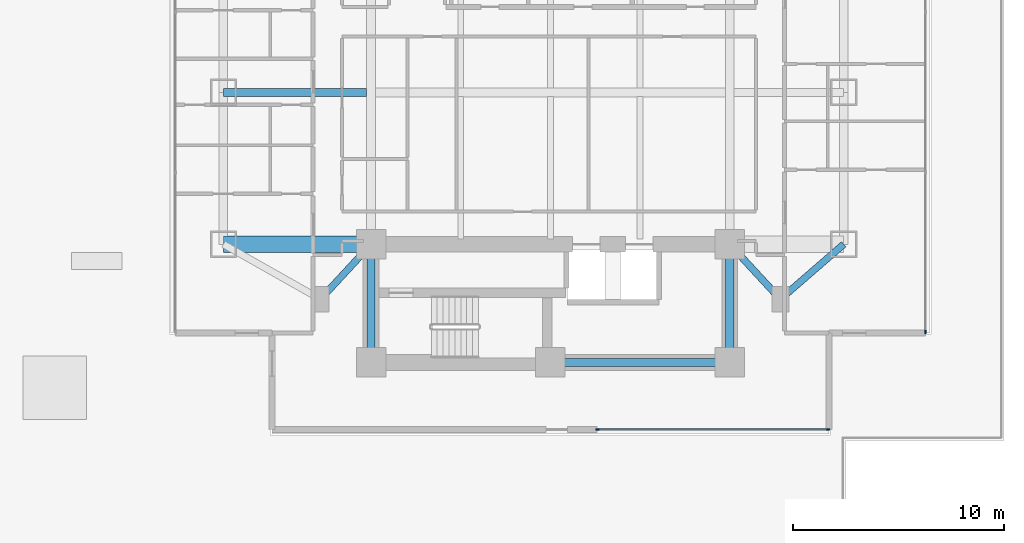
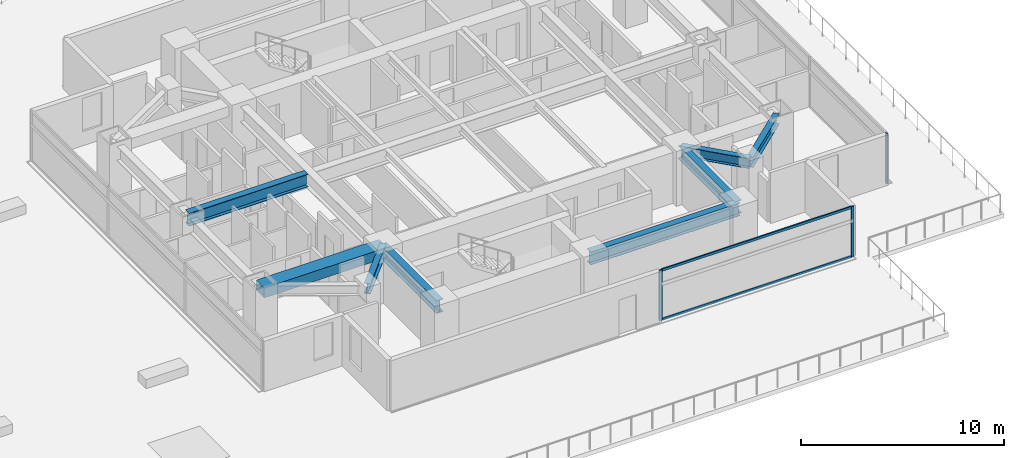
# One storey, part 8 of 26: 8 beams, 5 members, 2 elements without a shape of their own.
"""IFC4 building model written with IfcOpenShell, lengths in metres."""

from ifc_helpers import new_model, si_unit, direction, frame, origin, origin_2d, place, context, subcontext, project, spatial, rectangle, i_section, extrude, material, material_profile, profile_set, type_object, element, aggregate, save


model = new_model("IFC4")

# Units and contexts
model_context = context("Model", 3, precision=1e-05, world=origin(), true_north=direction((0.0, 1.0)))
body_context = subcontext(model_context, "Body", "Model", "MODEL_VIEW")
ifc_project = project(units=[si_unit("LENGTHUNIT", "METRE"), si_unit("AREAUNIT", "SQUARE_METRE"), si_unit("VOLUMEUNIT", "CUBIC_METRE"), si_unit("PLANEANGLEUNIT", "RADIAN"), si_unit("MASSUNIT", "GRAM", prefix="KILO")], contexts=[model_context])

# Site, building, storey
site_placement = place(None, origin())
site = spatial("IfcSite", under=ifc_project, at=site_placement, CompositionType="ELEMENT")
building_placement = place(site_placement, origin())
building = spatial("IfcBuilding", under=site, at=building_placement, Name="Mirazonda Arch Towers", CompositionType="ELEMENT")
storey_placement = place(building_placement, frame((0.0, 0.0, 22.39990234375)))
storey = spatial("IfcBuildingStorey", under=building, at=storey_placement, Name="L05", CompositionType="ELEMENT", Elevation=22.39990234375)

# Beams
ifc_material_1 = material(Name="Steel ASTM A992 Grade 50", Category="steel")
ifc_material_profile_1 = material_profile(ifc_material_1, i_section(OverallWidth=0.324951171875, OverallDepth=0.615966796875, WebThickness=0.013916015625, FlangeThickness=0.021484375, at=origin_2d()), Name="W24X117")
ifc_profile_set_1 = profile_set([ifc_material_profile_1], Name="Steel ASTM A992 Grade 50")
beam_type_1 = type_object("IfcBeamType", Name="BM-INT-W24X117", PredefinedType="BEAM", material=ifc_profile_set_1)
for number, where, z_axis, x_axis, name in (
    (1, (65.60009765625, 18.199951171875, 2.752197265625), (0.678251444854, 0.734829897019, 0.0), (-0.734829897019, 0.678251444854, 0.0), "L05 Floor Beam BM-T2-L05-PL-SW1"),
    (2, (87.39990234375, 18.199951171875, 2.752197265625), (-0.678251444854, 0.734829897019, 0.0), (-0.734829897019, -0.678251444854, 0.0), "L05 Floor Beam BM-T2-L05-PL-SE1"),
):
    element("IfcBeam", number, at=place(storey_placement, frame(where, z_axis=z_axis, x_axis=x_axis)), inside=storey, type_object=beam_type_1, Name=name, PredefinedType="BEAM", context=body_context, shape_type="SweptSolid", body=[
        extrude(i_section(OverallWidth=0.324951171875, OverallDepth=0.615966796875, WebThickness=0.013916015625, FlangeThickness=0.021484375, at=origin_2d()), origin(), (0.0, 0.0, 1.0), 3.538330078125),
    ])
beam_1_placement = place(storey_placement, frame((87.39990234375, 18.199951171875, 2.752197265625), z_axis=(0.755676908098, 0.654944585876, 0.0), x_axis=(-0.654944585876, 0.755676908098, 0.0)))
element("IfcBeam", 3, at=beam_1_placement, inside=storey, type_object=beam_type_1, Name="L05 Floor Beam BM-T2-L05-PL-SE2", PredefinedType="BEAM", context=body_context, shape_type="SweptSolid", body=[
    extrude(i_section(OverallWidth=0.324951171875, OverallDepth=0.615966796875, WebThickness=0.013916015625, FlangeThickness=0.021484375, at=origin_2d()), origin(), (0.0, 0.0, 1.0), 3.969970703125),
])
ifc_material_profile_2 = material_profile(ifc_material_1, i_section(OverallWidth=0.381103515625, OverallDepth=0.77294921875, WebThickness=0.0166015625, FlangeThickness=0.027099609375, at=origin_2d()), Name="W30X173")
ifc_profile_set_2 = profile_set([ifc_material_profile_2], Name="Steel ASTM A992 Grade 50")
beam_type_2 = type_object("IfcBeamType", Name="BM-INT-W30X173", PredefinedType="USERDEFINED", material=ifc_profile_set_2)
beam_2_placement = place(storey_placement, frame((76.5, 15.199951171875, 2.673583984375), z_axis=(1.0, 0.0, 0.0), x_axis=(0.0, 1.0, 0.0)))
element("IfcBeam", 4, at=beam_2_placement, inside=storey, type_object=beam_type_2, Name="L05 Floor Beam BM-T2-L05-CS2", ObjectType="GIRDER", PredefinedType="USERDEFINED", context=body_context, shape_type="SweptSolid", body=[
    extrude(i_section(OverallWidth=0.381103515625, OverallDepth=0.77294921875, WebThickness=0.0166015625, FlangeThickness=0.027099609375, at=origin_2d()), origin(), (0.0, 0.0, 1.0), 8.5),
])
for number, where, z_axis, x_axis, name in (
    (5, (68.0, 15.199951171875, 2.673583984375), (0.0, 1.0, 0.0), (-1.0, 0.0, 0.0), "L05 Floor Beam BM-T2-L05-CSW"),
    (6, (85.0, 15.199951171875, 2.673583984375), (0.0, 1.0, 0.0), (-1.0, 0.0, 0.0), "L05 Floor Beam BM-T2-L05-CSE"),
):
    element("IfcBeam", number, at=place(storey_placement, frame(where, z_axis=z_axis, x_axis=x_axis)), inside=storey, type_object=beam_type_2, Name=name, ObjectType="GIRDER", PredefinedType="USERDEFINED", context=body_context, shape_type="SweptSolid", body=[
        extrude(i_section(OverallWidth=0.381103515625, OverallDepth=0.77294921875, WebThickness=0.0166015625, FlangeThickness=0.027099609375, at=origin_2d()), origin(), (0.0, 0.0, 1.0), 5.60009765625),
    ])
beam_3_placement = place(storey_placement, frame((61.0, 28.0, 2.673583984375), z_axis=(1.0, 0.0, 0.0), x_axis=(0.0, 1.0, 0.0)))
element("IfcBeam", 7, at=beam_3_placement, inside=storey, type_object=beam_type_2, Name="L05 Floor Beam BM-T2-L05-GW2", ObjectType="GIRDER", PredefinedType="USERDEFINED", context=body_context, shape_type="SweptSolid", body=[
    extrude(i_section(OverallWidth=0.381103515625, OverallDepth=0.77294921875, WebThickness=0.0166015625, FlangeThickness=0.027099609375, at=origin_2d()), origin(), (0.0, 0.0, 1.0), 6.791015625),
])
ifc_material_2 = material(Name="Concrete C60/75", Category="concrete")
ifc_material_profile_3 = material_profile(ifc_material_2, rectangle(XDim=0.800048828125, YDim=0.60009765625, at=origin_2d()), Name="RCCB800x600")
ifc_profile_set_3 = profile_set([ifc_material_profile_3], Name="Concrete C60/75")
beam_type_3 = type_object("IfcBeamType", Name="CB-INT-RCCB800x600", PredefinedType="SPANDREL", material=ifc_profile_set_3)
beam_4_placement = place(storey_placement, frame((61.0, 20.800048828125, 2.760009765625), z_axis=(1.0, 0.0, 0.0), x_axis=(0.0, 1.0, 0.0)))
element("IfcBeam", 8, at=beam_4_placement, inside=storey, type_object=beam_type_3, Name="L05 Floor Beam CBC-T2-L05-SW", PredefinedType="SPANDREL", context=body_context, shape_type="SweptSolid", body=[
    extrude(rectangle(XDim=0.800048828125, YDim=0.60009765625, at=origin_2d()), origin(), (0.0, 0.0, 1.0), 7.0),
])

# Curtain wall, members
ifc_material_3 = material(Name="Anodised Aluminium and Low-E Glass", Category="aluminium")
curtain_wall_type = type_object("IfcCurtainWallType", Name="CW-HTL-UNIT", PredefinedType="NOTDEFINED", material=ifc_material_3)
curtain_wall_1_placement = place(storey_placement, origin())
curtain_wall_1 = element("IfcCurtainWall", 9, at=curtain_wall_1_placement, inside=storey, type_object=curtain_wall_type, Name="L05 Curtain Wall CW-L05-T2-S", PredefinedType="NOTDEFINED")
ifc_material_4 = material(Name="Anodised Aluminium Alloy", Category="aluminium")
ifc_material_profile_4 = material_profile(ifc_material_4, rectangle(XDim=0.074951171875, YDim=0.1650390625, at=origin_2d()), Name="ALU-MULL-75x165")
ifc_profile_set_4 = profile_set([ifc_material_profile_4], Name="Anodised Aluminium Alloy")
member_type_1 = type_object("IfcMemberType", Name="MULL-CW-HTL-UNIT", PredefinedType="MULLION", material=ifc_profile_set_4)
member_1_placement = place(storey_placement, frame((89.66259765625, 12.02001953125, 0.0), z_axis=(0.0, 0.0, 1.0), x_axis=(0.0, -1.0, 0.0)))
member_1 = element("IfcMember", 10, at=member_1_placement, type_object=member_type_1, Name="CW-112 mullion 1", PredefinedType="MULLION", context=body_context, shape_type="SweptSolid", body=[
    extrude(rectangle(XDim=0.074951171875, YDim=0.1650390625, at=origin_2d()), origin(), (0.0, 0.0, 1.0), 3.0400390625),
])
member_2_placement = place(storey_placement, frame((78.737548828125, 12.02001953125, 0.0), z_axis=(0.0, 0.0, 1.0), x_axis=(0.0, -1.0, 0.0)))
member_2 = element("IfcMember", 11, at=member_2_placement, type_object=member_type_1, Name="CW-112 mullion 2", PredefinedType="MULLION", context=body_context, shape_type="SweptSolid", body=[
    extrude(rectangle(XDim=0.074951171875, YDim=0.1650390625, at=origin_2d()), origin(), (0.0, 0.0, 1.0), 3.0400390625),
])

# Curtain wall, member
curtain_wall_2_placement = place(storey_placement, origin())
curtain_wall_2 = element("IfcCurtainWall", 12, at=curtain_wall_2_placement, inside=storey, type_object=curtain_wall_type, Name="L05 T2 E Facade CW-L05-T2-E", PredefinedType="NOTDEFINED")
member_3_placement = place(storey_placement, frame((94.280029296875, 16.637451171875, 0.0), z_axis=(0.0, 0.0, 1.0), x_axis=(-1.0, 0.0, 0.0)))
member_3 = element("IfcMember", 13, at=member_3_placement, type_object=member_type_1, Name="CW-112 mullion 1", PredefinedType="MULLION", context=body_context, shape_type="SweptSolid", body=[
    extrude(rectangle(XDim=0.074951171875, YDim=0.1650390625, at=origin_2d()), origin(), (0.0, 0.0, 1.0), 3.0400390625),
])
aggregate(curtain_wall_2, [member_3])

# Member
ifc_material_profile_5 = material_profile(ifc_material_4, rectangle(XDim=0.074951171875, YDim=0.14501953125, at=origin_2d()), Name="ALU-TRAN-75x145")
ifc_profile_set_5 = profile_set([ifc_material_profile_5], Name="Anodised Aluminium Alloy")
member_type_2 = type_object("IfcMemberType", Name="TRAN-CW-HTL-UNIT", PredefinedType="USERDEFINED", material=ifc_profile_set_5)
member_4_placement = place(storey_placement, frame((89.625, 12.02001953125, 0.03759765625), z_axis=(-1.0, 0.0, 0.0), x_axis=(0.0, -1.0, 0.0)))
member_4 = element("IfcMember", 14, at=member_4_placement, type_object=member_type_2, Name="CW-112 transom 1.1", ObjectType="TRANSOM", PredefinedType="USERDEFINED", context=body_context, shape_type="SweptSolid", body=[
    extrude(rectangle(XDim=0.074951171875, YDim=0.14501953125, at=origin_2d()), origin(), (0.0, 0.0, 1.0), 10.85009765625),
])

member_5_placement = place(storey_placement, frame((89.625, 12.02001953125, 3.002685546875), z_axis=(-1.0, 0.0, 0.0), x_axis=(0.0, -1.0, 0.0)))
member_5 = element("IfcMember", 15, at=member_5_placement, type_object=member_type_2, Name="CW-112 transom 1.2", ObjectType="TRANSOM", PredefinedType="USERDEFINED", context=body_context, shape_type="SweptSolid", body=[
    extrude(rectangle(XDim=0.074951171875, YDim=0.14501953125, at=origin_2d()), origin(), (0.0, 0.0, 1.0), 10.85009765625),
])

aggregate(curtain_wall_1, [member_1, member_2, member_4, member_5])

save(model, "model.ifc")
